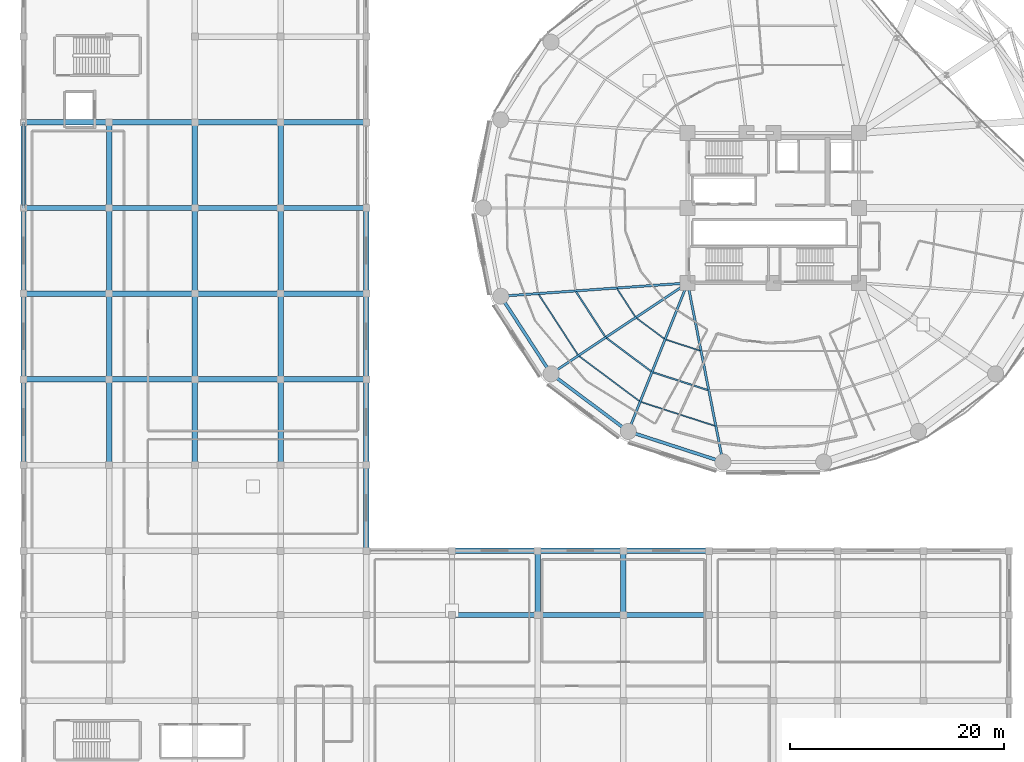
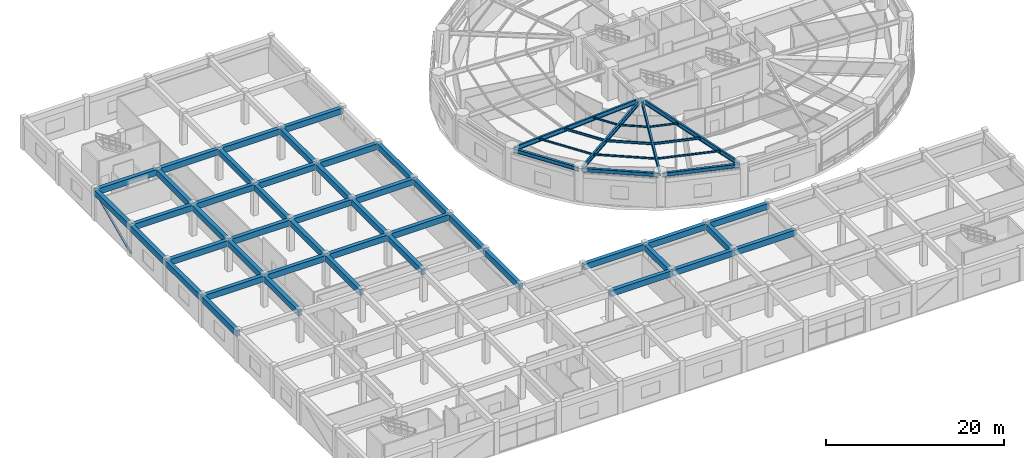
# One storey, part 11 of 52: 60 beams, 1 member.
"""IFC4 building model written with IfcOpenShell, lengths in metres."""

from ifc_helpers import new_model, si_unit, direction, frame, origin, origin_2d, place, context, subcontext, project, spatial, rectangle, hollow_circle, i_section, extrude, material, material_profile, profile_set, type_object, element, save


model = new_model("IFC4")

# Units and contexts
model_context = context("Model", 3, precision=1e-05, world=origin(), true_north=direction((0.0, 1.0)))
body_context = subcontext(model_context, "Body", "Model", "MODEL_VIEW")
ifc_project = project(units=[si_unit("LENGTHUNIT", "METRE"), si_unit("AREAUNIT", "SQUARE_METRE"), si_unit("VOLUMEUNIT", "CUBIC_METRE"), si_unit("PLANEANGLEUNIT", "RADIAN"), si_unit("MASSUNIT", "GRAM", prefix="KILO")], contexts=[model_context])

# Site, building, storey
site_placement = place(None, origin())
site = spatial("IfcSite", under=ifc_project, at=site_placement, CompositionType="ELEMENT")
building_placement = place(site_placement, origin())
building = spatial("IfcBuilding", under=site, at=building_placement, Name="Kelanora Arch Commons", CompositionType="ELEMENT")
storey_placement = place(building_placement, frame((0.0, 0.0, 13.5)))
storey = spatial("IfcBuildingStorey", under=building, at=storey_placement, Name="L03", CompositionType="ELEMENT", Elevation=13.5)

# Beams
ifc_material_1 = material(Name="Steel S355", Category="steel")
ifc_material_profile_1 = material_profile(ifc_material_1, i_section(OverallWidth=0.14990234375, OverallDepth=0.300048828125, WebThickness=0.007080078125, FlangeThickness=0.0107421875, FilletRadius=0.014892578125, at=origin_2d()), Name="IPE300")
ifc_profile_set_1 = profile_set([ifc_material_profile_1], Name="Steel S355")
beam_type_1 = type_object("IfcBeamType", Name="BM-JST-01", PredefinedType="JOIST", material=ifc_profile_set_1)
beam_1_placement = place(storey_placement, frame((55.578125, 50.187255859375, 3.949951171875), z_axis=(0.544551588245, -0.838727350061, 0.0), x_axis=(0.838727350061, 0.544551588245, 0.0)))
element("IfcBeam", 1, at=beam_1_placement, inside=storey, type_object=beam_type_1, Name="Secondary Chord Joist BJB-20 L03", PredefinedType="JOIST", context=body_context, shape_type="SweptSolid", body=[
    extrude(i_section(OverallWidth=0.14990234375, OverallDepth=0.300048828125, WebThickness=0.007080078125, FlangeThickness=0.0107421875, FilletRadius=0.014892578125, at=origin_2d()), origin(), (0.0, 0.0, 1.0), 5.010986328125),
])
beam_2_placement = place(storey_placement, frame((58.42138671875, 45.8623046875, 3.949951171875), z_axis=(0.801478251559, -0.598023922831, 0.0), x_axis=(0.598023922831, 0.801478251559, 0.0)))
element("IfcBeam", 2, at=beam_2_placement, inside=storey, type_object=beam_type_1, Name="Secondary Chord Joist BJB-22 L03", PredefinedType="JOIST", context=body_context, shape_type="SweptSolid", body=[
    extrude(i_section(OverallWidth=0.14990234375, OverallDepth=0.300048828125, WebThickness=0.007080078125, FlangeThickness=0.0107421875, FilletRadius=0.014892578125, at=origin_2d()), origin(), (0.0, 0.0, 1.0), 5.223388671875),
])
beam_3_placement = place(storey_placement, frame((62.7568359375, 42.66162109375, 3.949951171875), z_axis=(0.951412209627, -0.307920131482, 0.0), x_axis=(0.307920131482, 0.951412209627, 0.0)))
element("IfcBeam", 3, at=beam_3_placement, inside=storey, type_object=beam_type_1, Name="Secondary Chord Joist BJB-24 L03", PredefinedType="JOIST", context=body_context, shape_type="SweptSolid", body=[
    extrude(i_section(OverallWidth=0.14990234375, OverallDepth=0.300048828125, WebThickness=0.007080078125, FlangeThickness=0.0107421875, FilletRadius=0.014892578125, at=origin_2d()), origin(), (0.0, 0.0, 1.0), 5.4033203125),
])
ifc_material_profile_2 = material_profile(ifc_material_1, i_section(OverallWidth=0.1201171875, OverallDepth=0.239990234375, WebThickness=0.006103515625, FlangeThickness=0.009765625, FilletRadius=0.014892578125, at=origin_2d()), Name="IPE240")
ifc_profile_set_2 = profile_set([ifc_material_profile_2], Name="Steel S355")
beam_type_2 = type_object("IfcBeamType", Name="BM-JST-02", PredefinedType="JOIST", material=ifc_profile_set_2)
beam_4_placement = place(storey_placement, frame((59.41650390625, 50.458984375, 3.97998046875), z_axis=(0.544591105858, -0.838701691557, 0.0), x_axis=(0.838701691557, 0.544591105858, 0.0)))
element("IfcBeam", 4, at=beam_4_placement, inside=storey, type_object=beam_type_2, Name="Secondary Chord Joist BJA-20 L03", PredefinedType="JOIST", context=body_context, shape_type="SweptSolid", body=[
    extrude(i_section(OverallWidth=0.1201171875, OverallDepth=0.239990234375, WebThickness=0.006103515625, FlangeThickness=0.009765625, FilletRadius=0.014892578125, at=origin_2d()), origin(), (0.0, 0.0, 1.0), 3.111328125),
])
beam_5_placement = place(storey_placement, frame((52.0888671875, 49.940185546875, 3.97998046875), z_axis=(0.544550165372, -0.838728273873, 0.0), x_axis=(0.838728273873, 0.544550165372, 0.0)))
element("IfcBeam", 5, at=beam_5_placement, inside=storey, type_object=beam_type_2, Name="Secondary Chord Joist BJC-20 L03", PredefinedType="JOIST", context=body_context, shape_type="SweptSolid", body=[
    extrude(i_section(OverallWidth=0.1201171875, OverallDepth=0.239990234375, WebThickness=0.006103515625, FlangeThickness=0.009765625, FilletRadius=0.014892578125, at=origin_2d()), origin(), (0.0, 0.0, 1.0), 6.738037109375),
])
beam_6_placement = place(storey_placement, frame((61.22509765625, 47.727294921875, 3.97998046875), z_axis=(0.801513822608, -0.59797624716, 0.0), x_axis=(0.59797624716, 0.801513822608, 0.0)))
element("IfcBeam", 6, at=beam_6_placement, inside=storey, type_object=beam_type_2, Name="Secondary Chord Joist BJA-22 L03", PredefinedType="JOIST", context=body_context, shape_type="SweptSolid", body=[
    extrude(i_section(OverallWidth=0.1201171875, OverallDepth=0.239990234375, WebThickness=0.006103515625, FlangeThickness=0.009765625, FilletRadius=0.014892578125, at=origin_2d()), origin(), (0.0, 0.0, 1.0), 3.245849609375),
])
beam_7_placement = place(storey_placement, frame((55.87255859375, 44.16650390625, 3.97998046875), z_axis=(0.80149131963, -0.598006408459, 0.0), x_axis=(0.598006408459, 0.80149131963, 0.0)))
element("IfcBeam", 7, at=beam_7_placement, inside=storey, type_object=beam_type_2, Name="Secondary Chord Joist BJC-22 L03", PredefinedType="JOIST", context=body_context, shape_type="SweptSolid", body=[
    extrude(i_section(OverallWidth=0.1201171875, OverallDepth=0.239990234375, WebThickness=0.006103515625, FlangeThickness=0.009765625, FilletRadius=0.014892578125, at=origin_2d()), origin(), (0.0, 0.0, 1.0), 7.021240234375),
])
beam_8_placement = place(storey_placement, frame((63.9755859375, 45.709228515625, 3.97998046875), z_axis=(0.951422608074, -0.30788800049, 0.0), x_axis=(0.30788800049, 0.951422608074, 0.0)))
element("IfcBeam", 8, at=beam_8_placement, inside=storey, type_object=beam_type_2, Name="Secondary Chord Joist BJA-24 L03", PredefinedType="JOIST", context=body_context, shape_type="SweptSolid", body=[
    extrude(i_section(OverallWidth=0.1201171875, OverallDepth=0.239990234375, WebThickness=0.006103515625, FlangeThickness=0.009765625, FilletRadius=0.014892578125, at=origin_2d()), origin(), (0.0, 0.0, 1.0), 3.359619140625),
])
beam_9_placement = place(storey_placement, frame((61.64892578125, 39.890625, 3.97998046875), z_axis=(0.951410915705, -0.307924129418, 0.0), x_axis=(0.307924129418, 0.951410915705, 0.0)))
element("IfcBeam", 9, at=beam_9_placement, inside=storey, type_object=beam_type_2, Name="Secondary Chord Joist BJC-24 L03", PredefinedType="JOIST", context=body_context, shape_type="SweptSolid", body=[
    extrude(i_section(OverallWidth=0.1201171875, OverallDepth=0.239990234375, WebThickness=0.006103515625, FlangeThickness=0.009765625, FilletRadius=0.014892578125, at=origin_2d()), origin(), (0.0, 0.0, 1.0), 7.260986328125),
])
ifc_material_2 = material(Name="Concrete C40/50", Category="concrete")
ifc_material_profile_3 = material_profile(ifc_material_2, rectangle(XDim=0.5, YDim=0.800048828125, at=origin_2d()), Name="RCB500x800")
ifc_profile_set_3 = profile_set([ifc_material_profile_3], Name="Concrete C40/50")
beam_type_3 = type_object("IfcBeamType", Name="BM-MKT-RC1", PredefinedType="BEAM", material=ifc_profile_set_3)
for number, where, z_axis, x_axis, name in (
    (10, (4.0, 34.0, 3.840087890625), (0.0, 1.0, 0.0), (-1.0, 0.0, 0.0), "Market/Basement Frame Beam 010 L03"),
    (11, (4.0, 42.0, 3.840087890625), (1.0, 0.0, 0.0), (0.0, 1.0, 0.0), "Market/Basement Frame Beam 011 L03"),
    (12, (4.0, 42.0, 3.840087890625), (0.0, 1.0, 0.0), (-1.0, 0.0, 0.0), "Market/Basement Frame Beam 012 L03"),
    (13, (4.0, 50.0, 3.840087890625), (1.0, 0.0, 0.0), (0.0, 1.0, 0.0), "Market/Basement Frame Beam 013 L03"),
    (14, (4.0, 50.0, 3.840087890625), (0.0, 1.0, 0.0), (-1.0, 0.0, 0.0), "Market/Basement Frame Beam 014 L03"),
    (15, (4.0, 58.0, 3.840087890625), (1.0, 0.0, 0.0), (0.0, 1.0, 0.0), "Market/Basement Frame Beam 015 L03"),
    (16, (4.0, 58.0, 3.840087890625), (0.0, 1.0, 0.0), (-1.0, 0.0, 0.0), "Market/Basement Frame Beam 016 L03"),
    (17, (4.0, 66.0, 3.840087890625), (1.0, 0.0, 0.0), (0.0, 1.0, 0.0), "Market/Basement Frame Beam 017 L03"),
    (18, (12.0, 34.0, 3.840087890625), (0.0, 1.0, 0.0), (-1.0, 0.0, 0.0), "Market/Basement Frame Beam 029 L03"),
    (19, (12.0, 42.0, 3.840087890625), (1.0, 0.0, 0.0), (0.0, 1.0, 0.0), "Market/Basement Frame Beam 030 L03"),
    (20, (12.0, 42.0, 3.840087890625), (0.0, 1.0, 0.0), (-1.0, 0.0, 0.0), "Market/Basement Frame Beam 031 L03"),
    (21, (12.0, 50.0, 3.840087890625), (1.0, 0.0, 0.0), (0.0, 1.0, 0.0), "Market/Basement Frame Beam 032 L03"),
    (22, (12.0, 50.0, 3.840087890625), (0.0, 1.0, 0.0), (-1.0, 0.0, 0.0), "Market/Basement Frame Beam 033 L03"),
    (23, (12.0, 58.0, 3.840087890625), (1.0, 0.0, 0.0), (0.0, 1.0, 0.0), "Market/Basement Frame Beam 034 L03"),
    (24, (12.0, 58.0, 3.840087890625), (0.0, 1.0, 0.0), (-1.0, 0.0, 0.0), "Market/Basement Frame Beam 035 L03"),
    (25, (12.0, 66.0, 3.840087890625), (1.0, 0.0, 0.0), (0.0, 1.0, 0.0), "Market/Basement Frame Beam 036 L03"),
    (26, (20.0, 34.0, 3.840087890625), (0.0, 1.0, 0.0), (-1.0, 0.0, 0.0), "Market/Basement Frame Beam 047 L03"),
    (27, (20.0, 42.0, 3.840087890625), (1.0, 0.0, 0.0), (0.0, 1.0, 0.0), "Market/Basement Frame Beam 048 L03"),
    (28, (20.0, 42.0, 3.840087890625), (0.0, 1.0, 0.0), (-1.0, 0.0, 0.0), "Market/Basement Frame Beam 049 L03"),
    (29, (20.0, 50.0, 3.840087890625), (1.0, 0.0, 0.0), (0.0, 1.0, 0.0), "Market/Basement Frame Beam 050 L03"),
    (30, (20.0, 50.0, 3.840087890625), (0.0, 1.0, 0.0), (-1.0, 0.0, 0.0), "Market/Basement Frame Beam 051 L03"),
    (31, (20.0, 58.0, 3.840087890625), (1.0, 0.0, 0.0), (0.0, 1.0, 0.0), "Market/Basement Frame Beam 052 L03"),
    (32, (20.0, 58.0, 3.840087890625), (0.0, 1.0, 0.0), (-1.0, 0.0, 0.0), "Market/Basement Frame Beam 053 L03"),
    (33, (20.0, 66.0, 3.840087890625), (1.0, 0.0, 0.0), (0.0, 1.0, 0.0), "Market/Basement Frame Beam 054 L03"),
    (34, (28.0, 34.0, 3.840087890625), (0.0, 1.0, 0.0), (-1.0, 0.0, 0.0), "Market/Basement Frame Beam 068 L03"),
    (35, (28.0, 42.0, 3.840087890625), (1.0, 0.0, 0.0), (0.0, 1.0, 0.0), "Market/Basement Frame Beam 069 L03"),
    (36, (28.0, 42.0, 3.840087890625), (0.0, 1.0, 0.0), (-1.0, 0.0, 0.0), "Market/Basement Frame Beam 070 L03"),
    (37, (28.0, 50.0, 3.840087890625), (1.0, 0.0, 0.0), (0.0, 1.0, 0.0), "Market/Basement Frame Beam 071 L03"),
    (38, (28.0, 50.0, 3.840087890625), (0.0, 1.0, 0.0), (-1.0, 0.0, 0.0), "Market/Basement Frame Beam 072 L03"),
    (39, (28.0, 58.0, 3.840087890625), (1.0, 0.0, 0.0), (0.0, 1.0, 0.0), "Market/Basement Frame Beam 073 L03"),
    (40, (28.0, 58.0, 3.840087890625), (0.0, 1.0, 0.0), (-1.0, 0.0, 0.0), "Market/Basement Frame Beam 074 L03"),
    (41, (28.0, 66.0, 3.840087890625), (1.0, 0.0, 0.0), (0.0, 1.0, 0.0), "Market/Basement Frame Beam 075 L03"),
    (42, (36.0, 26.0, 3.840087890625), (0.0, 1.0, 0.0), (-1.0, 0.0, 0.0), "Market/Basement Frame Beam 087 L03"),
    (43, (36.0, 34.0, 3.840087890625), (0.0, 1.0, 0.0), (-1.0, 0.0, 0.0), "Market/Basement Frame Beam 088 L03"),
    (44, (36.0, 42.0, 3.840087890625), (0.0, 1.0, 0.0), (-1.0, 0.0, 0.0), "Market/Basement Frame Beam 089 L03"),
    (45, (36.0, 50.0, 3.840087890625), (0.0, 1.0, 0.0), (-1.0, 0.0, 0.0), "Market/Basement Frame Beam 090 L03"),
    (46, (44.0, 20.0, 3.840087890625), (1.0, 0.0, 0.0), (0.0, 1.0, 0.0), "Market/Basement Frame Beam 098 L03"),
    (47, (44.0, 26.0, 3.840087890625), (1.0, 0.0, 0.0), (0.0, 1.0, 0.0), "Market/Basement Frame Beam 100 L03"),
    (48, (52.0, 20.0, 3.840087890625), (1.0, 0.0, 0.0), (0.0, 1.0, 0.0), "Market/Basement Frame Beam 105 L03"),
):
    element("IfcBeam", number, at=place(storey_placement, frame(where, z_axis=z_axis, x_axis=x_axis)), inside=storey, type_object=beam_type_3, Name=name, PredefinedType="BEAM", context=body_context, shape_type="SweptSolid", body=[
        extrude(rectangle(XDim=0.5, YDim=0.800048828125, at=origin_2d()), origin(), (0.0, 0.0, 1.0), 8.0),
    ])
beam_10_placement = place(storey_placement, frame((52.0, 20.0, 3.840087890625), z_axis=(0.0, 1.0, 0.0), x_axis=(-1.0, 0.0, 0.0)))
element("IfcBeam", 49, at=beam_10_placement, inside=storey, type_object=beam_type_3, Name="Market/Basement Frame Beam 106 L03", PredefinedType="BEAM", context=body_context, shape_type="SweptSolid", body=[
    extrude(rectangle(XDim=0.5, YDim=0.800048828125, at=origin_2d()), origin(), (0.0, 0.0, 1.0), 6.0),
])
for number, where, z_axis, x_axis, name in (
    (50, (52.0, 26.0, 3.840087890625), (1.0, 0.0, 0.0), (0.0, 1.0, 0.0), "Market/Basement Frame Beam 107 L03"),
    (51, (60.0, 20.0, 3.840087890625), (1.0, 0.0, 0.0), (0.0, 1.0, 0.0), "Market/Basement Frame Beam 112 L03"),
):
    element("IfcBeam", number, at=place(storey_placement, frame(where, z_axis=z_axis, x_axis=x_axis)), inside=storey, type_object=beam_type_3, Name=name, PredefinedType="BEAM", context=body_context, shape_type="SweptSolid", body=[
        extrude(rectangle(XDim=0.5, YDim=0.800048828125, at=origin_2d()), origin(), (0.0, 0.0, 1.0), 8.0),
    ])
beam_11_placement = place(storey_placement, frame((60.0, 20.0, 3.840087890625), z_axis=(0.0, 1.0, 0.0), x_axis=(-1.0, 0.0, 0.0)))
element("IfcBeam", 52, at=beam_11_placement, inside=storey, type_object=beam_type_3, Name="Market/Basement Frame Beam 113 L03", PredefinedType="BEAM", context=body_context, shape_type="SweptSolid", body=[
    extrude(rectangle(XDim=0.5, YDim=0.800048828125, at=origin_2d()), origin(), (0.0, 0.0, 1.0), 6.0),
])
beam_12_placement = place(storey_placement, frame((60.0, 26.0, 3.840087890625), z_axis=(1.0, 0.0, 0.0), x_axis=(0.0, 1.0, 0.0)))
element("IfcBeam", 53, at=beam_12_placement, inside=storey, type_object=beam_type_3, Name="Market/Basement Frame Beam 114 L03", PredefinedType="BEAM", context=body_context, shape_type="SweptSolid", body=[
    extrude(rectangle(XDim=0.5, YDim=0.800048828125, at=origin_2d()), origin(), (0.0, 0.0, 1.0), 8.0),
])
ifc_material_profile_4 = material_profile(ifc_material_1, i_section(OverallWidth=0.219970703125, OverallDepth=0.60009765625, WebThickness=0.011962890625, FlangeThickness=0.01904296875, FilletRadius=0.02392578125, at=origin_2d()), Name="IPE600")
ifc_profile_set_4 = profile_set([ifc_material_profile_4], Name="Steel S355")
beam_type_4 = type_object("IfcBeamType", Name="BM-RAD-Z1", PredefinedType="BEAM", material=ifc_profile_set_4)
beam_13_placement = place(storey_placement, frame((66.0, 51.0, 3.800048828125), z_axis=(-0.997500932078, -0.070653312055, 0.0), x_axis=(0.070653312055, -0.997500932078, 0.0)))
element("IfcBeam", 54, at=beam_13_placement, inside=storey, type_object=beam_type_4, Name="Radial Floor Girder BR-20 L03", PredefinedType="BEAM", context=body_context, shape_type="SweptSolid", body=[
    extrude(i_section(OverallWidth=0.219970703125, OverallDepth=0.60009765625, WebThickness=0.011962890625, FlangeThickness=0.01904296875, FilletRadius=0.02392578125, at=origin_2d()), origin(), (0.0, 0.0, 1.0), 17.2705078125),
])
beam_14_placement = place(storey_placement, frame((66.0, 51.0, 3.800048828125), z_axis=(-0.832592623638, -0.553885839379, 0.0), x_axis=(0.553885839379, -0.832592623638, 0.0)))
element("IfcBeam", 55, at=beam_14_placement, inside=storey, type_object=beam_type_4, Name="Radial Floor Girder BR-22 L03", PredefinedType="BEAM", context=body_context, shape_type="SweptSolid", body=[
    extrude(i_section(OverallWidth=0.219970703125, OverallDepth=0.60009765625, WebThickness=0.011962890625, FlangeThickness=0.01904296875, FilletRadius=0.02392578125, at=origin_2d()), origin(), (0.0, 0.0, 1.0), 15.0869140625),
])
beam_15_placement = place(storey_placement, frame((66.0, 51.0, 3.800048828125), z_axis=(-0.371296182896, -0.928514482691, 0.0), x_axis=(0.928514482691, -0.371296182896, 0.0)))
element("IfcBeam", 56, at=beam_15_placement, inside=storey, type_object=beam_type_4, Name="Radial Floor Girder BR-24 L03", PredefinedType="BEAM", context=body_context, shape_type="SweptSolid", body=[
    extrude(i_section(OverallWidth=0.219970703125, OverallDepth=0.60009765625, WebThickness=0.011962890625, FlangeThickness=0.01904296875, FilletRadius=0.02392578125, at=origin_2d()), origin(), (0.0, 0.0, 1.0), 14.700439453125),
])
beam_16_placement = place(storey_placement, frame((66.0, 51.0, 3.800048828125), z_axis=(0.193555256292, -0.981089375522, 0.0), x_axis=(0.981089375522, 0.193555256292, 0.0)))
element("IfcBeam", 57, at=beam_16_placement, inside=storey, type_object=beam_type_4, Name="Radial Floor Girder BR-26 L03", PredefinedType="BEAM", context=body_context, shape_type="SweptSolid", body=[
    extrude(i_section(OverallWidth=0.219970703125, OverallDepth=0.60009765625, WebThickness=0.011962890625, FlangeThickness=0.01904296875, FilletRadius=0.02392578125, at=origin_2d()), origin(), (0.0, 0.0, 1.0), 16.81640625),
])
ifc_material_profile_5 = material_profile(ifc_material_1, i_section(OverallWidth=0.300048828125, OverallDepth=0.60009765625, WebThickness=0.015380859375, FlangeThickness=0.030029296875, FilletRadius=0.027099609375, at=origin_2d()), Name="HEB600")
ifc_profile_set_5 = profile_set([ifc_material_profile_5], Name="Steel S355")
beam_type_5 = type_object("IfcBeamType", Name="BM-SPN-Z1", PredefinedType="SPANDREL", material=ifc_profile_set_5)
beam_17_placement = place(storey_placement, frame((48.6728515625, 49.57958984375, 3.800048828125), z_axis=(0.544580949539, -0.838708286235, 0.0), x_axis=(0.838708286235, 0.544580949539, 0.0)))
element("IfcBeam", 58, at=beam_17_placement, inside=storey, type_object=beam_type_5, Name="Perimeter Spandrel Beam BS-20 L03", PredefinedType="SPANDREL", context=body_context, shape_type="SweptSolid", body=[
    extrude(i_section(OverallWidth=0.300048828125, OverallDepth=0.60009765625, WebThickness=0.015380859375, FlangeThickness=0.030029296875, FilletRadius=0.027099609375, at=origin_2d()), origin(), (0.0, 0.0, 1.0), 8.195068359375),
])
beam_18_placement = place(storey_placement, frame((53.431884765625, 42.39013671875, 3.800048828125), z_axis=(0.801474585329, -0.598028836322, 0.0), x_axis=(0.598028836322, 0.801474585329, 0.0)))
element("IfcBeam", 59, at=beam_18_placement, inside=storey, type_object=beam_type_5, Name="Perimeter Spandrel Beam BS-22 L03", PredefinedType="SPANDREL", context=body_context, shape_type="SweptSolid", body=[
    extrude(i_section(OverallWidth=0.300048828125, OverallDepth=0.60009765625, WebThickness=0.015380859375, FlangeThickness=0.030029296875, FilletRadius=0.027099609375, at=origin_2d()), origin(), (0.0, 0.0, 1.0), 8.549072265625),
])
beam_19_placement = place(storey_placement, frame((60.669189453125, 37.078369140625, 3.800048828125), z_axis=(0.951411479564, -0.307922387224, 0.0), x_axis=(0.307922387224, 0.951411479564, 0.0)))
element("IfcBeam", 60, at=beam_19_placement, inside=storey, type_object=beam_type_5, Name="Perimeter Spandrel Beam BS-24 L03", PredefinedType="SPANDREL", context=body_context, shape_type="SweptSolid", body=[
    extrude(i_section(OverallWidth=0.300048828125, OverallDepth=0.60009765625, WebThickness=0.015380859375, FlangeThickness=0.030029296875, FilletRadius=0.027099609375, at=origin_2d()), origin(), (0.0, 0.0, 1.0), 8.84912109375),
])

# Member
ifc_material_profile_6 = material_profile(ifc_material_1, hollow_circle(Radius=0.136474609375, WallThickness=0.012451171875, at=origin_2d()), Name="CHS273x12.5")
ifc_profile_set_6 = profile_set([ifc_material_profile_6], Name="Steel S355")
member_type = type_object("IfcMemberType", Name="MEM-MKT-BRACE", PredefinedType="BRACE", material=ifc_profile_set_6)
member_placement = place(storey_placement, frame((4.0, 58.0, 0.25), z_axis=(0.0, 0.91191733938, 0.410373934525), x_axis=(-1.0, 0.0, 0.0)))
element("IfcMember", 61, at=member_placement, inside=storey, type_object=member_type, Name="Market Hall Lateral Brace 04 L03", PredefinedType="BRACE", context=body_context, shape_type="SweptSolid", body=[
    extrude(hollow_circle(Radius=0.136474609375, WallThickness=0.012451171875, at=origin_2d()), origin(), (0.0, 0.0, 1.0), 8.772705078125),
])

save(model, "model.ifc")
